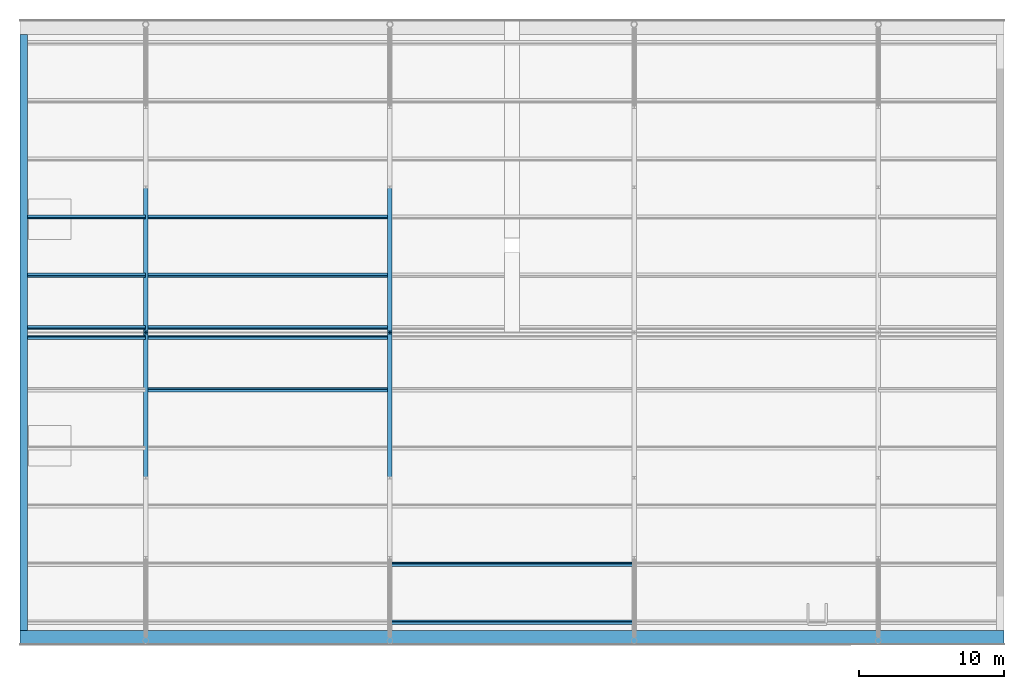
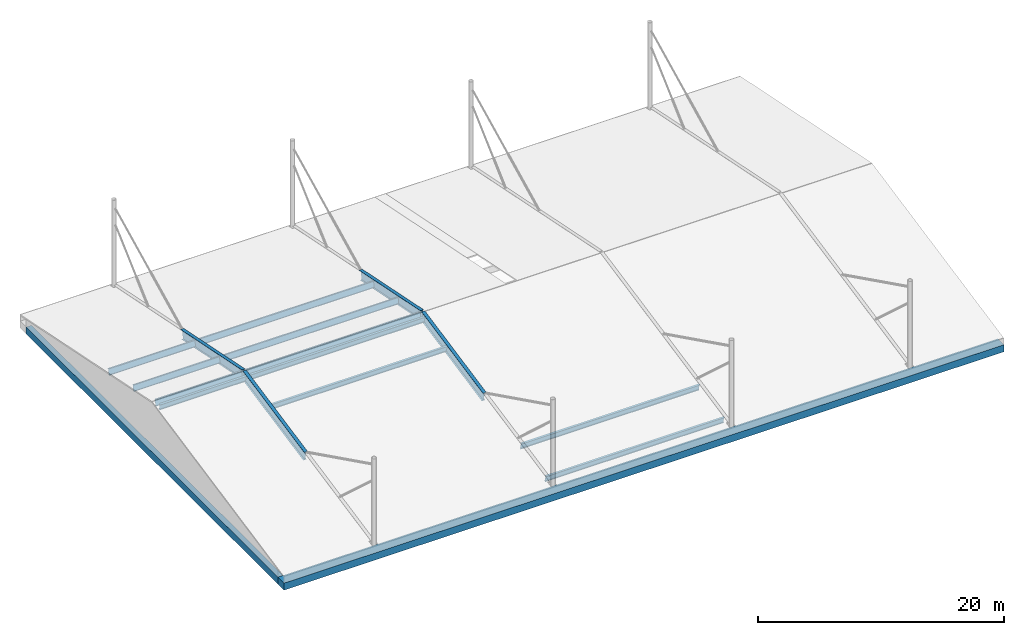
# One storey, part 2 of 8: 11 members, 6 beams.
"""IFC4 building model written with IfcOpenShell, lengths in metres."""

from ifc_helpers import new_model, si_unit, direction, frame, origin, origin_2d, place, context, subcontext, project, spatial, rectangle, i_section, extrude, material, material_profile, profile_set, type_object, element, save


model = new_model("IFC4")

# Units and contexts
model_context = context("Model", 3, precision=1e-05, world=origin(), true_north=direction((0.0, 1.0)))
body_context = subcontext(model_context, "Body", "Model", "MODEL_VIEW")
ifc_project = project(units=[si_unit("LENGTHUNIT", "METRE"), si_unit("AREAUNIT", "SQUARE_METRE"), si_unit("VOLUMEUNIT", "CUBIC_METRE"), si_unit("PLANEANGLEUNIT", "RADIAN"), si_unit("MASSUNIT", "GRAM", prefix="KILO")], contexts=[model_context])

# Site, building, storey
site_placement = place(None, origin())
site = spatial("IfcSite", under=ifc_project, at=site_placement, CompositionType="ELEMENT")
building_placement = place(site_placement, origin())
building = spatial("IfcBuilding", under=site, at=building_placement, Name="Ljudholm Concert House", CompositionType="ELEMENT")
storey_placement = place(building_placement, frame((0.0, 0.0, 22.800048828125)))
storey = spatial("IfcBuildingStorey", under=building, at=storey_placement, Name="ROOF", CompositionType="ELEMENT", Elevation=22.800048828125)

# Beams
ifc_material_1 = material(Name="Concrete 6,500 psi", Category="concrete")
ifc_material_profile_1 = material_profile(ifc_material_1, rectangle(XDim=1.0, YDim=0.699951171875, at=origin_2d()), Name="RC BEAM 1000x700 BEAM")
ifc_profile_set_1 = profile_set([ifc_material_profile_1], Name="Concrete 6,500 psi")
beam_type_1 = type_object("IfcBeamType", Name="RC BEAM 1000x700 BEAM", PredefinedType="BEAM", material=ifc_profile_set_1)
beam_1_placement = place(storey_placement, frame((28.949951171875, 54.39990234375, 0.349853515625), z_axis=(1.0, 0.0, 0.0), x_axis=(0.0, 1.0, 0.0)))
element("IfcBeam", 1, at=beam_1_placement, inside=storey, type_object=beam_type_1, Name="Roof ring beam S", PredefinedType="BEAM", context=body_context, shape_type="SweptSolid", body=[
    extrude(rectangle(XDim=1.0, YDim=0.699951171875, at=origin_2d()), origin(), (0.0, 0.0, 1.0), 67.699951171875),
])
ifc_material_2 = material(Name="Concrete 6,500 psi", Category="concrete")
ifc_material_profile_2 = material_profile(ifc_material_2, rectangle(XDim=0.5, YDim=0.699951171875, at=origin_2d()), Name="RC BEAM 500x700 BEAM")
ifc_profile_set_2 = profile_set([ifc_material_profile_2], Name="Concrete 6,500 psi")
beam_type_2 = type_object("IfcBeamType", Name="RC BEAM 500x700 BEAM", PredefinedType="BEAM", material=ifc_profile_set_2)
beam_2_placement = place(storey_placement, frame((29.199951171875, 54.89990234375, 0.349853515625), z_axis=(0.0, 1.0, 0.0), x_axis=(-1.0, 0.0, 0.0)))
element("IfcBeam", 2, at=beam_2_placement, inside=storey, type_object=beam_type_2, Name="Roof ring beam W", PredefinedType="BEAM", context=body_context, shape_type="SweptSolid", body=[
    extrude(rectangle(XDim=0.5, YDim=0.699951171875, at=origin_2d()), origin(), (0.0, 0.0, 1.0), 41.0),
])
ifc_material_3 = material(Name="Steel ASTM A992", Category="steel")
ifc_material_profile_3 = material_profile(ifc_material_3, i_section(OverallWidth=0.3046875, OverallDepth=0.904296875, WebThickness=0.01513671875, FlangeThickness=0.02001953125, FilletRadius=0.01904296875, at=origin_2d()), Name="W36X135")
ifc_profile_set_3 = profile_set([ifc_material_profile_3], Name="Steel ASTM A992")
beam_type_3 = type_object("IfcBeamType", Name="STEEL BEAM W36X135 BEAM", PredefinedType="BEAM", material=ifc_profile_set_3)
for number, where, z_axis, x_axis, name in (
    (3, (37.60009765625, 65.39990234375, 3.350341796875), (0.0, 0.97992192909, 0.1993815761), (-1.0, 0.0, 0.0), "Roof girder G1"),
    (4, (37.60009765625, 75.39990234375, 5.385009765625), (0.0, 0.97992192909, -0.1993815761), (-1.0, 0.0, 0.0), "Roof girder G1"),
    (5, (54.39990234375, 65.39990234375, 3.350341796875), (0.0, 0.97992192909, 0.1993815761), (-1.0, 0.0, 0.0), "Roof girder G2"),
    (6, (54.39990234375, 75.39990234375, 5.385009765625), (0.0, 0.97992192909, -0.1993815761), (-1.0, 0.0, 0.0), "Roof girder G2"),
):
    element("IfcBeam", number, at=place(storey_placement, frame(where, z_axis=z_axis, x_axis=x_axis)), inside=storey, type_object=beam_type_3, Name=name, PredefinedType="BEAM", context=body_context, shape_type="SweptSolid", body=[
        extrude(i_section(OverallWidth=0.3046875, OverallDepth=0.904296875, WebThickness=0.01513671875, FlangeThickness=0.02001953125, FilletRadius=0.01904296875, at=origin_2d()), origin(), (0.0, 0.0, 1.0), 10.204833984375),
    ])

# Members
ifc_material_4 = material(Name="Steel ASTM A992", Category="steel")
ifc_material_profile_4 = material_profile(ifc_material_4, i_section(OverallWidth=0.177978515625, OverallDepth=0.599365234375, WebThickness=0.010009765625, FlangeThickness=0.012939453125, FilletRadius=0.012939453125, at=origin_2d()), Name="W24X55")
ifc_profile_set_4 = profile_set([ifc_material_profile_4], Name="Steel ASTM A992")
member_type = type_object("IfcMemberType", Name="STEEL MEMBER W24X55 PURLIN", PredefinedType="PURLIN", material=ifc_profile_set_4)
for number, where, z_axis, x_axis, name in (
    (7, (29.449951171875, 75.059814453125, 5.22119140625), (1.0, 0.0, 0.0), (0.0, 0.979924704621, 0.199367934417), "Purlin"),
    (8, (29.449951171875, 83.34033203125, 3.675048828125), (1.0, 0.0, 0.0), (0.0, 0.979924704621, -0.199367934417), "Purlin"),
    (9, (29.449951171875, 79.34033203125, 4.48876953125), (1.0, 0.0, 0.0), (0.0, 0.979924704621, -0.199367934417), "Purlin"),
    (10, (29.449951171875, 75.740234375, 5.22119140625), (1.0, 0.0, 0.0), (0.0, 0.979924704621, -0.199367934417), "Purlin"),
):
    element("IfcMember", number, at=place(storey_placement, frame(where, z_axis=z_axis, x_axis=x_axis)), inside=storey, type_object=member_type, Name=name, PredefinedType="PURLIN", context=body_context, shape_type="SweptSolid", body=[
        extrude(i_section(OverallWidth=0.177978515625, OverallDepth=0.599365234375, WebThickness=0.010009765625, FlangeThickness=0.012939453125, FilletRadius=0.012939453125, at=origin_2d()), origin(), (0.0, 0.0, 1.0), 8.142333984375),
    ])
for number, where, z_axis, x_axis, name in (
    (11, (37.607666015625, 71.459716796875, 4.48876953125), (1.0, 0.0, 0.0), (0.0, 0.979924704621, 0.199367934417), "Purlin"),
    (12, (37.607666015625, 75.059814453125, 5.22119140625), (1.0, 0.0, 0.0), (0.0, 0.979924704621, 0.199367934417), "Purlin"),
    (13, (37.607666015625, 83.34033203125, 3.675048828125), (1.0, 0.0, 0.0), (0.0, 0.979924704621, -0.199367934417), "Purlin"),
    (14, (37.607666015625, 79.34033203125, 4.48876953125), (1.0, 0.0, 0.0), (0.0, 0.979924704621, -0.199367934417), "Purlin"),
    (15, (37.607666015625, 75.740234375, 5.22119140625), (1.0, 0.0, 0.0), (0.0, 0.979924704621, -0.199367934417), "Purlin"),
    (16, (54.40771484375, 55.459716796875, 1.233642578125), (1.0, 0.0, 0.0), (0.0, 0.979924704621, 0.199367934417), "Purlin"),
    (17, (54.40771484375, 59.459716796875, 2.04736328125), (1.0, 0.0, 0.0), (0.0, 0.979924704621, 0.199367934417), "Purlin"),
):
    element("IfcMember", number, at=place(storey_placement, frame(where, z_axis=z_axis, x_axis=x_axis)), inside=storey, type_object=member_type, Name=name, PredefinedType="PURLIN", context=body_context, shape_type="SweptSolid", body=[
        extrude(i_section(OverallWidth=0.177978515625, OverallDepth=0.599365234375, WebThickness=0.010009765625, FlangeThickness=0.012939453125, FilletRadius=0.012939453125, at=origin_2d()), origin(), (0.0, 0.0, 1.0), 16.78466796875),
    ])

save(model, "model.ifc")
